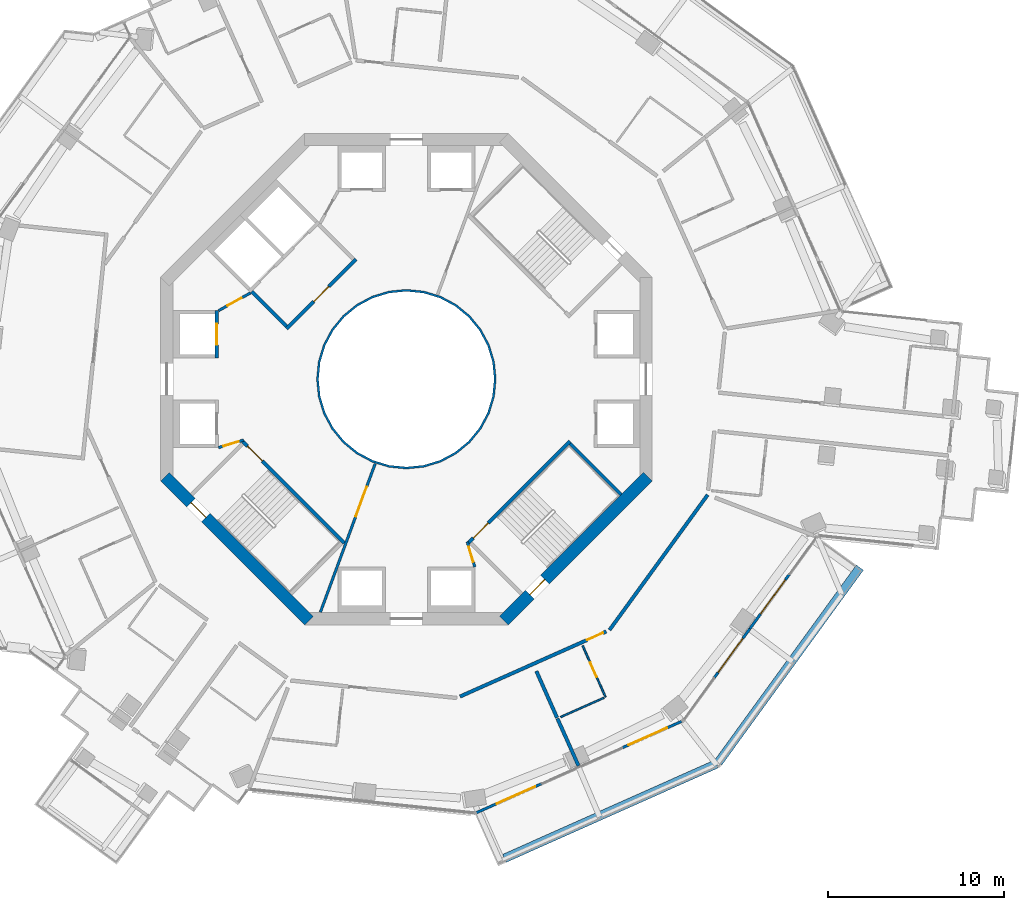
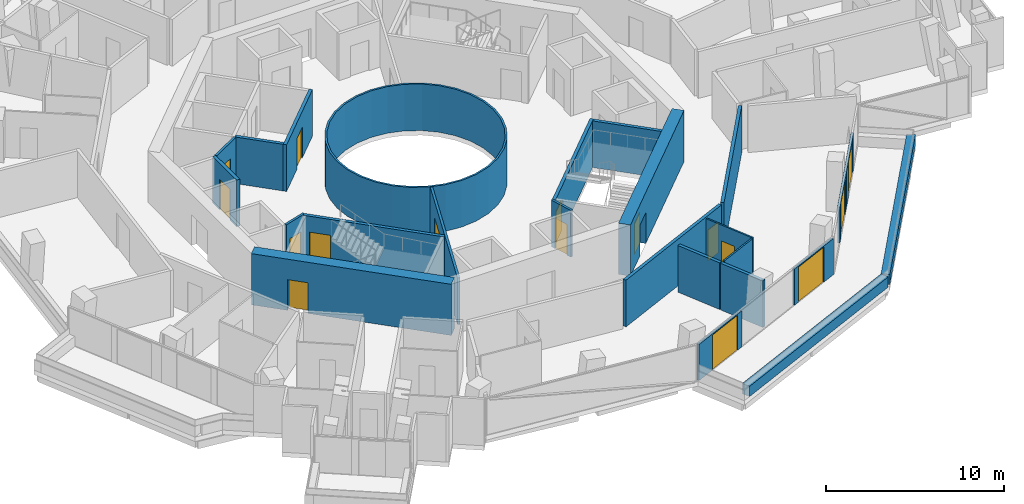
# One storey, part 17 of 23: 25 walls, 16 doors, 16 openings.
"""IFC4 building model written with IfcOpenShell, lengths in metres."""

from ifc_helpers import new_model, si_unit, direction, frame, frame_2d, origin, place, context, subcontext, project, spatial, polyline, rectangle, outline, extrude, material, layer, layer_set, type_object, element, fill, save


model = new_model("IFC4")

# Units and contexts
model_context = context("Model", 3, precision=1e-05, world=origin(), true_north=direction((0.0, 1.0)))
body_context = subcontext(model_context, "Body", "Model", "MODEL_VIEW")
ifc_project = project(units=[si_unit("LENGTHUNIT", "METRE"), si_unit("AREAUNIT", "SQUARE_METRE"), si_unit("VOLUMEUNIT", "CUBIC_METRE"), si_unit("PLANEANGLEUNIT", "RADIAN"), si_unit("MASSUNIT", "GRAM", prefix="KILO")], contexts=[model_context])

# Site, building, storey
site_placement = place(None, origin())
site = spatial("IfcSite", under=ifc_project, at=site_placement, CompositionType="ELEMENT")
building_placement = place(site_placement, origin())
building = spatial("IfcBuilding", under=site, at=building_placement, Name="Verdalira Terraces Hotel", CompositionType="ELEMENT")
storey_placement = place(building_placement, frame((0.0, 0.0, 133.0)))
storey = spatial("IfcBuildingStorey", under=building, at=storey_placement, Name="L31", CompositionType="ELEMENT", Elevation=133.0)

# Walls
ifc_material_1 = material(Name="Fire-resisting glass EI 180", Category="glass")
ifc_layer_1 = layer(ifc_material_1, 0.1201171875)
ifc_layer_set_1 = layer_set([ifc_layer_1], Name="Atrium fire screen 120 mm")
wall_type_1 = type_object("IfcWallType", Name="Atrium fire screen 120 mm", PredefinedType="SOLIDWALL", material=ifc_layer_set_1)
wall_1_placement = place(storey_placement, origin())
element("IfcWall", 1, at=wall_1_placement, inside=storey, type_object=wall_type_1, Name="Atrium fire screen", PredefinedType="SOLIDWALL", context=body_context, shape_type="SweptSolid", body=[
    extrude(outline(polyline([(5.021484, -0.998779), (4.730225, -1.959229), (4.25708, -2.844482), (3.620361, -3.620361), (2.844482, -4.25708), (1.959229, -4.730225), (0.998779, -5.021484), (0.0, -5.120117), (-0.998779, -5.021484), (-1.959229, -4.730225), (-2.844482, -4.25708), (-3.620361, -3.620361), (-4.25708, -2.844482), (-4.730225, -1.959229), (-5.021484, -0.998779), (-5.120117, 0.0), (-5.021484, 0.998779), (-4.730225, 1.959229), (-4.25708, 2.844482), (-3.620361, 3.620361), (-2.844482, 4.25708), (-1.959229, 4.730225), (-0.998779, 5.021484), (0.0, 5.120117), (0.998779, 5.021484), (1.959229, 4.730225), (2.844482, 4.25708), (3.620361, 3.620361), (4.25708, 2.844482), (4.730225, 1.959229), (5.021484, 0.998779), (5.120117, 0.0), (5.021484, -0.998779)]), holes=[polyline([(4.903809, 0.975586), (4.619385, 1.91333), (4.157227, 2.777832), (3.5354, 3.5354), (2.777832, 4.157227), (1.91333, 4.619385), (0.975586, 4.903809), (0.0, 5.0), (-0.975586, 4.903809), (-1.91333, 4.619385), (-2.777832, 4.157227), (-3.5354, 3.5354), (-4.157227, 2.777832), (-4.619385, 1.91333), (-4.903809, 0.975586), (-5.0, 0.0), (-4.903809, -0.975586), (-4.619385, -1.91333), (-4.157227, -2.777832), (-3.5354, -3.5354), (-2.777832, -4.157227), (-1.91333, -4.619385), (-0.975586, -4.903809), (0.0, -5.0), (0.975586, -4.903809), (1.91333, -4.619385), (2.777832, -4.157227), (3.5354, -3.5354), (4.157227, -2.777832), (4.619385, -1.91333), (4.903809, -0.975586), (5.0, 0.0), (4.903809, 0.975586)])]), origin(), (0.0, 0.0, 1.0), 3.189941),
])
ifc_material_2 = material(Name="Concrete C40", Category="concrete")
ifc_layer_2 = layer(ifc_material_2, 0.5)
ifc_layer_set_2 = layer_set([ifc_layer_2], Name="Balcony planter trough with tree")
wall_type_2 = type_object("IfcWallType", Name="Balcony planter trough with tree", PredefinedType="SOLIDWALL", material=ifc_layer_set_2)
wall_2_placement = place(storey_placement, frame((5.585449, -27.296387, 0.0), z_axis=(0.0, 0.0, 1.0), x_axis=(0.913544877, 0.406737947, 0.0)))
element("IfcWall", 2, at=wall_2_placement, inside=storey, type_object=wall_type_2, Name="Balcony planter", PredefinedType="SOLIDWALL", context=body_context, shape_type="SweptSolid", body=[
    extrude(rectangle(XDim=13.223389, YDim=0.5, at=frame_2d((6.611816, 0.0))), origin(), (0.0, 0.0, 1.0), 0.699951),
])
wall_3_placement = place(storey_placement, frame((17.766113, -21.83667, 0.0), z_axis=(0.0, 0.0, 1.0), x_axis=(0.587782365, 0.809019092, 0.0)))
element("IfcWall", 3, at=wall_3_placement, inside=storey, type_object=wall_type_2, Name="Balcony planter", PredefinedType="SOLIDWALL", context=body_context, shape_type="SweptSolid", body=[
    extrude(rectangle(XDim=13.723389, YDim=0.5, at=frame_2d((6.861816, 0.0))), origin(), (0.0, 0.0, 1.0), 0.699951),
])
ifc_material_3 = material(Name="Moisture-resistant gypsum board partition")
ifc_layer_3 = layer(ifc_material_3, 0.10009765625)
ifc_layer_set_3 = layer_set([ifc_layer_3], Name="Bathroom partition 100 mm")
wall_type_3 = type_object("IfcWallType", Name="Bathroom partition 100 mm", PredefinedType="PARTITIONING", material=ifc_layer_set_3)
wall_4_placement = place(storey_placement, frame((11.255127, -18.149658, 0.0), z_axis=(0.0, 0.0, 1.0), x_axis=(-0.913550343, -0.40672567, 0.0)))
element("IfcWall", 4, at=wall_4_placement, inside=storey, type_object=wall_type_3, Name="Bathroom partition", PredefinedType="PARTITIONING", context=body_context, shape_type="SweptSolid", body=[
    extrude(rectangle(XDim=2.699951, YDim=0.100098, at=frame_2d((1.350098, 0.0))), origin(), (0.0, 0.0, 1.0), 3.189941),
])

# Wall, opening, door
wall_5_placement = place(storey_placement, frame((11.346436, -18.108887, 0.0), z_axis=(0.0, 0.0, 1.0), x_axis=(-0.406725928, 0.913550228, 0.0)))
wall_5 = element("IfcWall", 5, at=wall_5_placement, inside=storey, type_object=wall_type_3, Name="Bathroom partition", PredefinedType="PARTITIONING", context=body_context, shape_type="SweptSolid", body=[
    extrude(rectangle(XDim=3.199951, YDim=0.100098, at=frame_2d((1.600098, 0.0))), origin(), (0.0, 0.0, 1.0), 3.189941),
])
opening_1_placement = place(wall_5_placement, frame((1.25, 0.0, 0.0)))
opening_1 = element("IfcOpeningElement", 6, at=opening_1_placement, cuts=wall_5, Name="Opening L31-120", PredefinedType="OPENING", context=body_context, shape_type="SweptSolid", body=[
    extrude(rectangle(XDim=0.899902, YDim=2.100098, at=frame_2d((0.449951, 1.050049))), frame((0.0, 0.060059, 0.0), z_axis=(0.0, -1.0, 0.0), x_axis=(1.0, 0.0, 0.0)), (0.0, 0.0, 1.0), 0.120117),
])
ifc_material_4 = material(Name="Timber door", Category="wood")
door_type_1 = type_object("IfcDoorType", Name="Bathroom door 900 x 2100", OperationType="NOTDEFINED", PredefinedType="DOOR", material=ifc_material_4)
door_1_placement = place(opening_1_placement, origin())
door_1 = element("IfcDoor", 7, at=door_1_placement, inside=storey, type_object=door_type_1, Name="Bathroom door 3107", OperationType="SINGLE_SWING_LEFT", OverallHeight=2.10009765625, OverallWidth=0.89990234375, PredefinedType="DOOR", context=body_context, shape_type="SweptSolid", body=[
    extrude(rectangle(XDim=0.899902, YDim=2.100098, at=frame_2d((0.449951, 1.050049))), frame((0.0, 0.024902, 0.0), z_axis=(0.0, -1.0, 0.0), x_axis=(1.0, 0.0, 0.0)), (0.0, 0.0, 1.0), 0.050049),
])
fill(opening_1, door_1)

ifc_material_5 = material(Name="Concrete C50", Category="concrete")
ifc_layer_4 = layer(ifc_material_5, 0.199951171875)
ifc_layer_set_4 = layer_set([ifc_layer_4], Name="Core RC wall 200 C50")
wall_type_4 = type_object("IfcWallType", Name="Core RC wall 200 C50", PredefinedType="SOLIDWALL", material=ifc_layer_set_4)
wall_6_placement = place(storey_placement, frame((-10.800049, 1.199951, 0.0), z_axis=(0.0, 0.0, 1.0), x_axis=(0.0, 1.0, 0.0)))
wall_6 = element("IfcWall", 8, at=wall_6_placement, inside=storey, type_object=wall_type_4, Name="L31 shaft front wall W1", PredefinedType="SOLIDWALL", context=body_context, shape_type="SweptSolid", body=[
    extrude(rectangle(XDim=2.699951, YDim=0.199951, at=frame_2d((1.350098, 0.0))), origin(), (0.0, 0.0, 1.0), 3.189941),
])
opening_2_placement = place(wall_6_placement, frame((0.75, 0.0, 0.0)))
opening_2 = element("IfcOpeningElement", 9, at=opening_2_placement, cuts=wall_6, Name="Opening LD-L31-805", PredefinedType="OPENING", context=body_context, shape_type="SweptSolid", body=[
    extrude(rectangle(XDim=1.199951, YDim=2.100098, at=frame_2d((0.600098, 1.050049))), frame((0.0, 0.109863, 0.0), z_axis=(0.0, -1.0, 0.0), x_axis=(1.0, 0.0, 0.0)), (0.0, 0.0, 1.0), 0.219971),
])
ifc_material_6 = material(Name="Stainless steel", Category="steel")
door_type_2 = type_object("IfcDoorType", Name="Landing door 1200 x 2100", OperationType="NOTDEFINED", PredefinedType="DOOR", material=ifc_material_6)
door_2_placement = place(opening_2_placement, origin())
door_2 = element("IfcDoor", 10, at=door_2_placement, inside=storey, type_object=door_type_2, Name="Lift landing door LR5 L31", OperationType="DOUBLE_DOOR_SLIDING", OverallHeight=2.10009765625, OverallWidth=1.199951171875, PredefinedType="DOOR", context=body_context, shape_type="SweptSolid", body=[
    extrude(rectangle(XDim=1.199951, YDim=2.100098, at=frame_2d((0.600098, 1.050049))), frame((0.0, 0.024902, 0.0), z_axis=(0.0, -1.0, 0.0), x_axis=(1.0, 0.0, 0.0)), (0.0, 0.0, 1.0), 0.050049),
])
fill(opening_2, door_2)

wall_7_placement = place(storey_placement, frame((-3.5354, -9.33374, 0.0), z_axis=(0.0, 0.0, 1.0), x_axis=(-0.707106781, 0.707106781, 0.0)))
wall_7 = element("IfcWall", 11, at=wall_7_placement, inside=storey, type_object=wall_type_4, Name="L31 stair ST2 front wall", PredefinedType="SOLIDWALL", context=body_context, shape_type="SweptSolid", body=[
    extrude(rectangle(XDim=8.200195, YDim=0.199951, at=frame_2d((4.100098, 0.0))), origin(), (0.0, 0.0, 1.0), 3.189941),
])
opening_3_placement = place(wall_7_placement, frame((6.600098, 0.0, 0.0)))
opening_3 = element("IfcOpeningElement", 12, at=opening_3_placement, cuts=wall_7, Name="Opening L31-810", PredefinedType="OPENING", context=body_context, shape_type="SweptSolid", body=[
    extrude(rectangle(XDim=1.199951, YDim=2.100098, at=frame_2d((0.600098, 1.050049))), frame((0.0, 0.109863, 0.0), z_axis=(0.0, -1.0, 0.0), x_axis=(1.0, 0.0, 0.0)), (0.0, 0.0, 1.0), 0.219971),
])
ifc_material_7 = material(Name="Steel fire door", Category="steel")
door_type_3 = type_object("IfcDoorType", Name="Stair door 1200 x 2100", OperationType="NOTDEFINED", PredefinedType="DOOR", material=ifc_material_7)
door_3_placement = place(opening_3_placement, origin())
door_3 = element("IfcDoor", 13, at=door_3_placement, inside=storey, type_object=door_type_3, Name="Stair door ST2 L31", OperationType="SINGLE_SWING_RIGHT", OverallHeight=2.10009765625, OverallWidth=1.199951171875, PredefinedType="DOOR", context=body_context, shape_type="SweptSolid", body=[
    extrude(rectangle(XDim=1.199951, YDim=2.100098, at=frame_2d((0.600098, 1.050049))), frame((0.0, 0.024902, 0.0), z_axis=(0.0, -1.0, 0.0), x_axis=(1.0, 0.0, 0.0)), (0.0, 0.0, 1.0), 0.050049),
])
fill(opening_3, door_3)

wall_8_placement = place(storey_placement, frame((9.33374, -3.5354, 0.0), z_axis=(0.0, 0.0, 1.0), x_axis=(-0.707106781, -0.707106781, 0.0)))
wall_8 = element("IfcWall", 14, at=wall_8_placement, inside=storey, type_object=wall_type_4, Name="L31 stair ST3 front wall", PredefinedType="SOLIDWALL", context=body_context, shape_type="SweptSolid", body=[
    extrude(rectangle(XDim=8.200195, YDim=0.199951, at=frame_2d((4.100098, 0.0))), origin(), (0.0, 0.0, 1.0), 3.189941),
])
opening_4_placement = place(wall_8_placement, frame((6.600098, 0.0, 0.0)))
opening_4 = element("IfcOpeningElement", 15, at=opening_4_placement, cuts=wall_8, Name="Opening L31-811", PredefinedType="OPENING", context=body_context, shape_type="SweptSolid", body=[
    extrude(rectangle(XDim=1.199951, YDim=2.100098, at=frame_2d((0.600098, 1.050049))), frame((0.0, 0.109863, 0.0), z_axis=(0.0, -1.0, 0.0), x_axis=(1.0, 0.0, 0.0)), (0.0, 0.0, 1.0), 0.219971),
])
door_4_placement = place(opening_4_placement, origin())
door_4 = element("IfcDoor", 16, at=door_4_placement, inside=storey, type_object=door_type_3, Name="Stair door ST3 L31", OperationType="SINGLE_SWING_RIGHT", OverallHeight=2.10009765625, OverallWidth=1.199951171875, PredefinedType="DOOR", context=body_context, shape_type="SweptSolid", body=[
    extrude(rectangle(XDim=1.199951, YDim=2.100098, at=frame_2d((0.600098, 1.050049))), frame((0.0, 0.024902, 0.0), z_axis=(0.0, -1.0, 0.0), x_axis=(1.0, 0.0, 0.0)), (0.0, 0.0, 1.0), 0.050049),
])
fill(opening_4, door_4)

# Wall
wall_9_placement = place(storey_placement, frame((9.33374, -3.677002, 0.0), z_axis=(0.0, 0.0, 1.0), x_axis=(0.707106781, -0.707106781, 0.0)))
element("IfcWall", 17, at=wall_9_placement, inside=storey, type_object=wall_type_4, Name="L31 stair ST3 end wall 2", PredefinedType="SOLIDWALL", context=body_context, shape_type="SweptSolid", body=[
    extrude(rectangle(XDim=4.100098, YDim=0.199951, at=frame_2d((2.050049, 0.0))), origin(), (0.0, 0.0, 1.0), 3.189941),
])

# Wall, opening, door
wall_10_placement = place(storey_placement, frame((-2.86377, 6.823486, 0.0), z_axis=(0.0, 0.0, 1.0), x_axis=(-0.707106781, -0.707106781, 0.0)))
wall_10 = element("IfcWall", 18, at=wall_10_placement, inside=storey, type_object=wall_type_4, Name="L31 fire lobby wall", PredefinedType="SOLIDWALL", context=body_context, shape_type="SweptSolid", body=[
    extrude(rectangle(XDim=5.599854, YDim=0.199951, at=frame_2d((2.799805, 0.0))), origin(), (0.0, 0.0, 1.0), 3.189941),
])
opening_5_placement = place(wall_10_placement, frame((2.199951, 0.0, 0.0)))
opening_5 = element("IfcOpeningElement", 19, at=opening_5_placement, cuts=wall_10, Name="Opening L31-819", PredefinedType="OPENING", context=body_context, shape_type="SweptSolid", body=[
    extrude(rectangle(XDim=1.199951, YDim=2.100098, at=frame_2d((0.600098, 1.050049))), frame((0.0, 0.109863, 0.0), z_axis=(0.0, -1.0, 0.0), x_axis=(1.0, 0.0, 0.0)), (0.0, 0.0, 1.0), 0.219971),
])
ifc_material_8 = material(Name="Steel fire door", Category="steel")
door_type_4 = type_object("IfcDoorType", Name="Lobby door 1200 x 2100", OperationType="NOTDEFINED", PredefinedType="DOOR", material=ifc_material_8)
door_5_placement = place(opening_5_placement, origin())
door_5 = element("IfcDoor", 20, at=door_5_placement, inside=storey, type_object=door_type_4, Name="Fire lobby door L31", OperationType="SINGLE_SWING_LEFT", OverallHeight=2.10009765625, OverallWidth=1.199951171875, PredefinedType="DOOR", context=body_context, shape_type="SweptSolid", body=[
    extrude(rectangle(XDim=1.199951, YDim=2.100098, at=frame_2d((0.600098, 1.050049))), frame((0.0, 0.024902, 0.0), z_axis=(0.0, -1.0, 0.0), x_axis=(1.0, 0.0, 0.0)), (0.0, 0.0, 1.0), 0.050049),
])
fill(opening_5, door_5)

# Wall
wall_11_placement = place(storey_placement, frame((-6.823486, 3.005127, 0.0), z_axis=(0.0, 0.0, 1.0), x_axis=(-0.707106781, 0.707106781, 0.0)))
element("IfcWall", 21, at=wall_11_placement, inside=storey, type_object=wall_type_4, Name="L31 fire lobby wall", PredefinedType="SOLIDWALL", context=body_context, shape_type="SweptSolid", body=[
    extrude(rectangle(XDim=2.800049, YDim=0.199951, at=frame_2d((1.399902, 0.0))), origin(), (0.0, 0.0, 1.0), 3.189941),
])

# Wall, opening, door
ifc_material_9 = material(Name="Gypsum board partition")
ifc_layer_5 = layer(ifc_material_9, 0.14990234375)
ifc_layer_set_5 = layer_set([ifc_layer_5], Name="Core partition 150 mm")
wall_type_5 = type_object("IfcWallType", Name="Core partition 150 mm", PredefinedType="PARTITIONING", material=ifc_layer_set_5)
wall_12_placement = place(storey_placement, frame((-8.874268, 4.914307, 0.0), z_axis=(0.0, 0.0, 1.0), x_axis=(-0.874129705, -0.485692555, 0.0)))
wall_12 = element("IfcWall", 22, at=wall_12_placement, inside=storey, type_object=wall_type_5, Name="Room partition L31", PredefinedType="PARTITIONING", context=body_context, shape_type="SweptSolid", body=[
    extrude(rectangle(XDim=2.088623, YDim=0.149902, at=frame_2d((1.044434, 0.0))), origin(), (0.0, 0.0, 1.0), 3.189941),
])
opening_6_placement = place(wall_12_placement, frame((0.594238, 0.0, 0.0)))
opening_6 = element("IfcOpeningElement", 23, at=opening_6_placement, cuts=wall_12, Name="Opening L31-821", PredefinedType="OPENING", context=body_context, shape_type="SweptSolid", body=[
    extrude(rectangle(XDim=0.899902, YDim=2.100098, at=frame_2d((0.449951, 1.050049))), frame((0.0, 0.084961, 0.0), z_axis=(0.0, -1.0, 0.0), x_axis=(1.0, 0.0, 0.0)), (0.0, 0.0, 1.0), 0.169922),
])
ifc_material_10 = material(Name="Steel fire door", Category="steel")
door_type_5 = type_object("IfcDoorType", Name="Core room door 900 x 2100", OperationType="NOTDEFINED", PredefinedType="DOOR", material=ifc_material_10)
door_6_placement = place(opening_6_placement, origin())
door_6 = element("IfcDoor", 24, at=door_6_placement, inside=storey, type_object=door_type_5, Name="Door L31 room3", OperationType="SINGLE_SWING_LEFT", OverallHeight=2.10009765625, OverallWidth=0.89990234375, PredefinedType="DOOR", context=body_context, shape_type="SweptSolid", body=[
    extrude(rectangle(XDim=0.899902, YDim=2.100098, at=frame_2d((0.449951, 1.050049))), frame((0.0, 0.024902, 0.0), z_axis=(0.0, -1.0, 0.0), x_axis=(1.0, 0.0, 0.0)), (0.0, 0.0, 1.0), 0.050049),
])
fill(opening_6, door_6)

wall_13_placement = place(storey_placement, frame((-10.699951, -3.899902, 0.0), z_axis=(0.0, 0.0, 1.0), x_axis=(0.957084567, 0.289808785, 0.0)))
wall_13 = element("IfcWall", 25, at=wall_13_placement, inside=storey, type_object=wall_type_5, Name="Room partition L31", PredefinedType="PARTITIONING", context=body_context, shape_type="SweptSolid", body=[
    extrude(rectangle(XDim=1.501221, YDim=0.149902, at=frame_2d((0.750488, 0.0))), origin(), (0.0, 0.0, 1.0), 3.189941),
])
opening_7_placement = place(wall_13_placement, frame((0.300781, 0.0, 0.0)))
opening_7 = element("IfcOpeningElement", 26, at=opening_7_placement, cuts=wall_13, Name="Opening L31-822", PredefinedType="OPENING", context=body_context, shape_type="SweptSolid", body=[
    extrude(rectangle(XDim=0.899902, YDim=2.100098, at=frame_2d((0.449951, 1.050049))), frame((0.0, 0.084961, 0.0), z_axis=(0.0, -1.0, 0.0), x_axis=(1.0, 0.0, 0.0)), (0.0, 0.0, 1.0), 0.169922),
])
door_7_placement = place(opening_7_placement, origin())
door_7 = element("IfcDoor", 27, at=door_7_placement, inside=storey, type_object=door_type_5, Name="Door L31 room4", OperationType="SINGLE_SWING_LEFT", OverallHeight=2.10009765625, OverallWidth=0.89990234375, PredefinedType="DOOR", context=body_context, shape_type="SweptSolid", body=[
    extrude(rectangle(XDim=0.899902, YDim=2.100098, at=frame_2d((0.449951, 1.050049))), frame((0.0, 0.024902, 0.0), z_axis=(0.0, -1.0, 0.0), x_axis=(1.0, 0.0, 0.0)), (0.0, 0.0, 1.0), 0.050049),
])
fill(opening_7, door_7)

wall_14_placement = place(storey_placement, frame((3.899902, -10.699951, 0.0), z_axis=(0.0, 0.0, 1.0), x_axis=(-0.289808785, 0.957084567, 0.0)))
wall_14 = element("IfcWall", 28, at=wall_14_placement, inside=storey, type_object=wall_type_5, Name="Room partition L31", PredefinedType="PARTITIONING", context=body_context, shape_type="SweptSolid", body=[
    extrude(rectangle(XDim=1.501221, YDim=0.149902, at=frame_2d((0.750488, 0.0))), origin(), (0.0, 0.0, 1.0), 3.189941),
])
opening_8_placement = place(wall_14_placement, frame((0.300781, 0.0, 0.0)))
opening_8 = element("IfcOpeningElement", 29, at=opening_8_placement, cuts=wall_14, Name="Opening L31-823", PredefinedType="OPENING", context=body_context, shape_type="SweptSolid", body=[
    extrude(rectangle(XDim=0.899902, YDim=2.100098, at=frame_2d((0.449951, 1.050049))), frame((0.0, 0.084961, 0.0), z_axis=(0.0, -1.0, 0.0), x_axis=(1.0, 0.0, 0.0)), (0.0, 0.0, 1.0), 0.169922),
])
door_8_placement = place(opening_8_placement, origin())
door_8 = element("IfcDoor", 30, at=door_8_placement, inside=storey, type_object=door_type_5, Name="Door L31 room6", OperationType="SINGLE_SWING_LEFT", OverallHeight=2.10009765625, OverallWidth=0.89990234375, PredefinedType="DOOR", context=body_context, shape_type="SweptSolid", body=[
    extrude(rectangle(XDim=0.899902, YDim=2.100098, at=frame_2d((0.449951, 1.050049))), frame((0.0, 0.024902, 0.0), z_axis=(0.0, -1.0, 0.0), x_axis=(1.0, 0.0, 0.0)), (0.0, 0.0, 1.0), 0.050049),
])
fill(opening_8, door_8)

wall_15_placement = place(storey_placement, frame((-1.775635, -4.812988, 0.0), z_axis=(0.0, 0.0, 1.0), x_axis=(-0.346109381, -0.938194168, 0.0)))
wall_15 = element("IfcWall", 31, at=wall_15_placement, inside=storey, type_object=wall_type_5, Name="Gallery fire partition L31", PredefinedType="PARTITIONING", context=body_context, shape_type="SweptSolid", body=[
    extrude(rectangle(XDim=9.016357, YDim=0.149902, at=frame_2d((4.508301, 0.0))), origin(), (0.0, 0.0, 1.0), 3.189941),
])
opening_9_placement = place(wall_15_placement, frame((1.399902, 0.0, 0.0)))
opening_9 = element("IfcOpeningElement", 32, at=opening_9_placement, cuts=wall_15, Name="Opening L31-825", PredefinedType="OPENING", context=body_context, shape_type="SweptSolid", body=[
    extrude(rectangle(XDim=1.800049, YDim=2.100098, at=frame_2d((0.899902, 1.050049))), frame((0.0, 0.084961, 0.0), z_axis=(0.0, -1.0, 0.0), x_axis=(1.0, 0.0, 0.0)), (0.0, 0.0, 1.0), 0.169922),
])
ifc_material_11 = material(Name="Steel fire door", Category="steel")
door_type_6 = type_object("IfcDoorType", Name="Gallery fire door pair 1800 x 2100", OperationType="NOTDEFINED", PredefinedType="DOOR", material=ifc_material_11)
door_9_placement = place(opening_9_placement, origin())
door_9 = element("IfcDoor", 33, at=door_9_placement, inside=storey, type_object=door_type_6, Name="Door L31 split5", OperationType="DOUBLE_DOOR_SINGLE_SWING", OverallHeight=2.10009765625, OverallWidth=1.800048828125, PredefinedType="DOOR", context=body_context, shape_type="SweptSolid", body=[
    extrude(rectangle(XDim=1.800049, YDim=2.100098, at=frame_2d((0.899902, 1.050049))), frame((0.0, 0.024902, 0.0), z_axis=(0.0, -1.0, 0.0), x_axis=(1.0, 0.0, 0.0)), (0.0, 0.0, 1.0), 0.050049),
])
fill(opening_9, door_9)

ifc_material_12 = material(Name="Concrete C60", Category="concrete")
ifc_layer_6 = layer(ifc_material_12, 0.699951171875)
ifc_layer_set_6 = layer_set([ifc_layer_6], Name="Core wall 700 C60")
wall_type_6 = type_object("IfcWallType", Name="Core wall 700 C60", PredefinedType="SHEAR", material=ifc_layer_set_6)
wall_16_placement = place(storey_placement, frame((-13.752441, -5.551514, 0.0), z_axis=(0.0, 0.0, 1.0), x_axis=(0.707106781, -0.707106781, 0.0)))
wall_16 = element("IfcWall", 34, at=wall_16_placement, inside=storey, type_object=wall_type_6, Name="Core wall CW-L31-6", PredefinedType="SHEAR", context=body_context, shape_type="SweptSolid", body=[
    extrude(rectangle(XDim=11.5979, YDim=0.699951, at=frame_2d((5.798828, 0.0))), origin(), (0.0, 0.0, 1.0), 3.5),
])
opening_10_placement = place(wall_16_placement, frame((2.099121, 0.0, 0.0)))
opening_10 = element("IfcOpeningElement", 35, at=opening_10_placement, cuts=wall_16, Name="Opening L31-817", PredefinedType="OPENING", context=body_context, shape_type="SweptSolid", body=[
    extrude(rectangle(XDim=1.199951, YDim=2.100098, at=frame_2d((0.600098, 1.050049))), frame((0.0, 0.359863, 0.0), z_axis=(0.0, -1.0, 0.0), x_axis=(1.0, 0.0, 0.0)), (0.0, 0.0, 1.0), 0.719971),
])
door_10_placement = place(opening_10_placement, origin())
door_10 = element("IfcDoor", 36, at=door_10_placement, inside=storey, type_object=door_type_3, Name="Stair exit door ST2 L31", OperationType="SINGLE_SWING_LEFT", OverallHeight=2.10009765625, OverallWidth=1.199951171875, PredefinedType="DOOR", context=body_context, shape_type="SweptSolid", body=[
    extrude(rectangle(XDim=1.199951, YDim=2.100098, at=frame_2d((0.600098, 1.050049))), frame((0.0, 0.024902, 0.0), z_axis=(0.0, -1.0, 0.0), x_axis=(1.0, 0.0, 0.0)), (0.0, 0.0, 1.0), 0.050049),
])
fill(opening_10, door_10)

wall_17_placement = place(storey_placement, frame((5.551514, -13.752441, 0.0), z_axis=(0.0, 0.0, 1.0), x_axis=(0.707106781, 0.707106781, 0.0)))
wall_17 = element("IfcWall", 37, at=wall_17_placement, inside=storey, type_object=wall_type_6, Name="Core wall CW-L31-8", PredefinedType="SHEAR", context=body_context, shape_type="SweptSolid", body=[
    extrude(rectangle(XDim=11.5979, YDim=0.699951, at=frame_2d((5.798828, 0.0))), origin(), (0.0, 0.0, 1.0), 3.5),
])
opening_11_placement = place(wall_17_placement, frame((2.099121, 0.0, 0.0)))
opening_11 = element("IfcOpeningElement", 38, at=opening_11_placement, cuts=wall_17, Name="Opening L31-818", PredefinedType="OPENING", context=body_context, shape_type="SweptSolid", body=[
    extrude(rectangle(XDim=1.199951, YDim=2.100098, at=frame_2d((0.600098, 1.050049))), frame((0.0, 0.359863, 0.0), z_axis=(0.0, -1.0, 0.0), x_axis=(1.0, 0.0, 0.0)), (0.0, 0.0, 1.0), 0.719971),
])
door_11_placement = place(opening_11_placement, origin())
door_11 = element("IfcDoor", 39, at=door_11_placement, inside=storey, type_object=door_type_3, Name="Stair exit door ST3 L31", OperationType="SINGLE_SWING_LEFT", OverallHeight=2.10009765625, OverallWidth=1.199951171875, PredefinedType="DOOR", context=body_context, shape_type="SweptSolid", body=[
    extrude(rectangle(XDim=1.199951, YDim=2.100098, at=frame_2d((0.600098, 1.050049))), frame((0.0, 0.024902, 0.0), z_axis=(0.0, -1.0, 0.0), x_axis=(1.0, 0.0, 0.0)), (0.0, 0.0, 1.0), 0.050049),
])
fill(opening_11, door_11)

# Walls
ifc_material_13 = material(Name="Fire-rated gypsum board wall")
ifc_layer_7 = layer(ifc_material_13, 0.199951171875)
ifc_layer_set_7 = layer_set([ifc_layer_7], Name="Demising wall 200 mm")
wall_type_7 = type_object("IfcWallType", Name="Demising wall 200 mm", PredefinedType="SOLIDWALL", material=ifc_layer_set_7)
wall_18_placement = place(storey_placement, frame((7.404785, -16.631592, 0.0), z_axis=(0.0, 0.0, 1.0), x_axis=(0.406723275, -0.91355141, 0.0)))
element("IfcWall", 40, at=wall_18_placement, inside=storey, type_object=wall_type_7, Name="Demising wall", PredefinedType="SOLIDWALL", context=body_context, shape_type="SweptSolid", body=[
    extrude(rectangle(XDim=2.904785, YDim=0.199951, at=frame_2d((1.452393, 0.0))), origin(), (0.0, 0.0, 1.0), 3.189941),
])
wall_19_placement = place(storey_placement, frame((8.60498, -19.327393, 0.0), z_axis=(0.0, 0.0, 1.0), x_axis=(0.406767648, -0.913531653, 0.0)))
element("IfcWall", 41, at=wall_19_placement, inside=storey, type_object=wall_type_7, Name="Demising wall", PredefinedType="SOLIDWALL", context=body_context, shape_type="SweptSolid", body=[
    extrude(rectangle(XDim=2.95166, YDim=0.199951, at=frame_2d((1.47583, 0.0))), origin(), (0.0, 0.0, 1.0), 3.189941),
])

# Wall, opening, door
ifc_material_14 = material(Name="Fire-rated gypsum board wall")
ifc_layer_8 = layer(ifc_material_14, 0.199951171875)
ifc_layer_set_8 = layer_set([ifc_layer_8], Name="Guest corridor wall 200 mm")
wall_type_8 = type_object("IfcWallType", Name="Guest corridor wall 200 mm", PredefinedType="SOLIDWALL", material=ifc_layer_set_8)
wall_20_placement = place(storey_placement, frame((11.386719, -14.369141, 0.0), z_axis=(0.0, 0.0, 1.0), x_axis=(-0.913542974, -0.406742221, 0.0)))
wall_20 = element("IfcWall", 42, at=wall_20_placement, inside=storey, type_object=wall_type_8, Name="Guest corridor wall", PredefinedType="SOLIDWALL", context=body_context, shape_type="SweptSolid", body=[
    extrude(rectangle(XDim=9.115723, YDim=0.199951, at=frame_2d((4.557861, 0.0))), origin(), (0.0, 0.0, 1.0), 3.189941),
])
opening_12_placement = place(wall_20_placement, frame((0.199951, 0.0, 0.0)))
opening_12 = element("IfcOpeningElement", 43, at=opening_12_placement, cuts=wall_20, Name="Opening L31-119", PredefinedType="OPENING", context=body_context, shape_type="SweptSolid", body=[
    extrude(rectangle(XDim=1.0, YDim=2.100098, at=frame_2d((0.5, 1.050049))), frame((0.0, 0.109863, 0.0), z_axis=(0.0, -1.0, 0.0), x_axis=(1.0, 0.0, 0.0)), (0.0, 0.0, 1.0), 0.219971),
])
ifc_material_15 = material(Name="Timber fire door", Category="wood")
door_type_7 = type_object("IfcDoorType", Name="Guest entry door 1000 x 2100", OperationType="NOTDEFINED", PredefinedType="DOOR", material=ifc_material_15)
door_12_placement = place(opening_12_placement, origin())
door_12 = element("IfcDoor", 44, at=door_12_placement, inside=storey, type_object=door_type_7, Name="Guest entry door 3107", OperationType="SINGLE_SWING_LEFT", OverallHeight=2.10009765625, OverallWidth=1.0, PredefinedType="DOOR", context=body_context, shape_type="SweptSolid", body=[
    extrude(rectangle(XDim=1.0, YDim=2.100098, at=frame_2d((0.5, 1.050049))), frame((0.0, 0.024902, 0.0), z_axis=(0.0, -1.0, 0.0), x_axis=(1.0, 0.0, 0.0)), (0.0, 0.0, 1.0), 0.050049),
])
fill(opening_12, door_12)

# Wall
wall_21_placement = place(storey_placement, frame((11.570312, -14.287109, 0.0), z_axis=(0.0, 0.0, 1.0), x_axis=(0.587784152, 0.809017794, 0.0)))
element("IfcWall", 45, at=wall_21_placement, inside=storey, type_object=wall_type_8, Name="Guest corridor wall", PredefinedType="SOLIDWALL", context=body_context, shape_type="SweptSolid", body=[
    extrude(rectangle(XDim=9.515869, YDim=0.199951, at=frame_2d((4.757812, 0.0))), origin(), (0.0, 0.0, 1.0), 3.189941),
])

# Wall, opening, door
ifc_material_16 = material(Name="Terracotta cladding", Category="masonry")
ifc_layer_9 = layer(ifc_material_16, 0.14990234375)
ifc_layer_set_9 = layer_set([ifc_layer_9], Name="Terracotta door pier 150")
wall_type_9 = type_object("IfcWallType", Name="Terracotta door pier 150", PredefinedType="SOLIDWALL", material=ifc_layer_set_9)
wall_22_placement = place(storey_placement, frame((3.989746, -24.695557, 0.0), z_axis=(0.0, 0.0, 1.0), x_axis=(0.913541573, 0.406745368, 0.0)))
wall_22 = element("IfcWall", 46, at=wall_22_placement, inside=storey, type_object=wall_type_9, Name="Terracotta door pier", PredefinedType="SOLIDWALL", context=body_context, shape_type="SweptSolid", body=[
    extrude(rectangle(XDim=4.067871, YDim=0.149902, at=frame_2d((2.033936, 0.0))), origin(), (0.0, 0.0, 1.0), 2.475098),
])
opening_13_placement = place(wall_22_placement, frame((1.267822, 0.0, 0.0)))
opening_13 = element("IfcOpeningElement", 47, at=opening_13_placement, cuts=wall_22, Name="Opening L31-B07", PredefinedType="OPENING", context=body_context, shape_type="SweptSolid", body=[
    extrude(rectangle(XDim=2.399902, YDim=2.399902, at=frame_2d((1.199951, 1.199951))), frame((0.0, 0.084961, 0.0), z_axis=(0.0, -1.0, 0.0), x_axis=(1.0, 0.0, 0.0)), (0.0, 0.0, 1.0), 0.169922),
])
ifc_material_17 = material(Name="Clear glass", Category="glass")
door_type_8 = type_object("IfcDoorType", Name="Balcony sliding door 2400x2400", OperationType="NOTDEFINED", PredefinedType="DOOR", material=ifc_material_17)
door_13_placement = place(opening_13_placement, origin())
door_13 = element("IfcDoor", 48, at=door_13_placement, inside=storey, type_object=door_type_8, Name="Balcony sliding door", OperationType="SLIDING_TO_LEFT", OverallHeight=2.39990234375, OverallWidth=2.39990234375, PredefinedType="DOOR", context=body_context, shape_type="SweptSolid", body=[
    extrude(rectangle(XDim=2.399902, YDim=2.399902, at=frame_2d((1.199951, 1.199951))), frame((0.0, 0.024902, 0.0), z_axis=(0.0, -1.0, 0.0), x_axis=(1.0, 0.0, 0.0)), (0.0, 0.0, 1.0), 0.050049),
])
fill(opening_13, door_13)

wall_23_placement = place(storey_placement, frame((12.293457, -20.998535, 0.0), z_axis=(0.0, 0.0, 1.0), x_axis=(0.913548143, 0.406730611, 0.0)))
wall_23 = element("IfcWall", 49, at=wall_23_placement, inside=storey, type_object=wall_type_9, Name="Terracotta door pier", PredefinedType="SOLIDWALL", context=body_context, shape_type="SweptSolid", body=[
    extrude(rectangle(XDim=3.710205, YDim=0.149902, at=frame_2d((1.85498, 0.0))), origin(), (0.0, 0.0, 1.0), 2.475098),
])
opening_14_placement = place(wall_23_placement, frame((0.399902, 0.0, 0.0)))
opening_14 = element("IfcOpeningElement", 50, at=opening_14_placement, cuts=wall_23, Name="Opening L31-B08", PredefinedType="OPENING", context=body_context, shape_type="SweptSolid", body=[
    extrude(rectangle(XDim=2.399902, YDim=2.399902, at=frame_2d((1.199951, 1.199951))), frame((0.0, 0.084961, 0.0), z_axis=(0.0, -1.0, 0.0), x_axis=(1.0, 0.0, 0.0)), (0.0, 0.0, 1.0), 0.169922),
])
door_14_placement = place(opening_14_placement, origin())
door_14 = element("IfcDoor", 51, at=door_14_placement, inside=storey, type_object=door_type_8, Name="Balcony sliding door", OperationType="SLIDING_TO_RIGHT", OverallHeight=2.39990234375, OverallWidth=2.39990234375, PredefinedType="DOOR", context=body_context, shape_type="SweptSolid", body=[
    extrude(rectangle(XDim=2.399902, YDim=2.399902, at=frame_2d((1.199951, 1.199951))), frame((0.0, 0.024902, 0.0), z_axis=(0.0, -1.0, 0.0), x_axis=(1.0, 0.0, 0.0)), (0.0, 0.0, 1.0), 0.050049),
])
fill(opening_14, door_14)

wall_24_placement = place(storey_placement, frame((17.522217, -17.025879, 0.0), z_axis=(0.0, 0.0, 1.0), x_axis=(0.587778943, 0.809021578, 0.0)))
wall_24 = element("IfcWall", 52, at=wall_24_placement, inside=storey, type_object=wall_type_9, Name="Terracotta door pier", PredefinedType="SOLIDWALL", context=body_context, shape_type="SweptSolid", body=[
    extrude(rectangle(XDim=3.474854, YDim=0.149902, at=frame_2d((1.737305, 0.0))), origin(), (0.0, 0.0, 1.0), 2.475098),
])
opening_15_placement = place(wall_24_placement, frame((0.399902, 0.0, 0.0)))
opening_15 = element("IfcOpeningElement", 53, at=opening_15_placement, cuts=wall_24, Name="Opening L31-B09", PredefinedType="OPENING", context=body_context, shape_type="SweptSolid", body=[
    extrude(rectangle(XDim=2.399902, YDim=2.399902, at=frame_2d((1.199951, 1.199951))), frame((0.0, 0.084961, 0.0), z_axis=(0.0, -1.0, 0.0), x_axis=(1.0, 0.0, 0.0)), (0.0, 0.0, 1.0), 0.169922),
])
door_15_placement = place(opening_15_placement, origin())
door_15 = element("IfcDoor", 54, at=door_15_placement, inside=storey, type_object=door_type_8, Name="Balcony sliding door", OperationType="SLIDING_TO_RIGHT", OverallHeight=2.39990234375, OverallWidth=2.39990234375, PredefinedType="DOOR", context=body_context, shape_type="SweptSolid", body=[
    extrude(rectangle(XDim=2.399902, YDim=2.399902, at=frame_2d((1.199951, 1.199951))), frame((0.0, 0.024902, 0.0), z_axis=(0.0, -1.0, 0.0), x_axis=(1.0, 0.0, 0.0)), (0.0, 0.0, 1.0), 0.050049),
])
fill(opening_15, door_15)

wall_25_placement = place(storey_placement, frame((19.564697, -14.2146, 0.0), z_axis=(0.0, 0.0, 1.0), x_axis=(0.58777044, 0.809027756, 0.0)))
wall_25 = element("IfcWall", 55, at=wall_25_placement, inside=storey, type_object=wall_type_9, Name="Terracotta door pier", PredefinedType="SOLIDWALL", context=body_context, shape_type="SweptSolid", body=[
    extrude(rectangle(XDim=3.835449, YDim=0.149902, at=frame_2d((1.917725, 0.0))), origin(), (0.0, 0.0, 1.0), 2.475098),
])
opening_16_placement = place(wall_25_placement, frame((1.0354, 0.0, 0.0)))
opening_16 = element("IfcOpeningElement", 56, at=opening_16_placement, cuts=wall_25, Name="Opening L31-B10", PredefinedType="OPENING", context=body_context, shape_type="SweptSolid", body=[
    extrude(rectangle(XDim=2.399902, YDim=2.399902, at=frame_2d((1.199951, 1.199951))), frame((0.0, 0.084961, 0.0), z_axis=(0.0, -1.0, 0.0), x_axis=(1.0, 0.0, 0.0)), (0.0, 0.0, 1.0), 0.169922),
])
door_16_placement = place(opening_16_placement, origin())
door_16 = element("IfcDoor", 57, at=door_16_placement, inside=storey, type_object=door_type_8, Name="Balcony sliding door", OperationType="SLIDING_TO_LEFT", OverallHeight=2.39990234375, OverallWidth=2.39990234375, PredefinedType="DOOR", context=body_context, shape_type="SweptSolid", body=[
    extrude(rectangle(XDim=2.399902, YDim=2.399902, at=frame_2d((1.199951, 1.199951))), frame((0.0, 0.024902, 0.0), z_axis=(0.0, -1.0, 0.0), x_axis=(1.0, 0.0, 0.0)), (0.0, 0.0, 1.0), 0.050049),
])
fill(opening_16, door_16)

save(model, "model.ifc")
